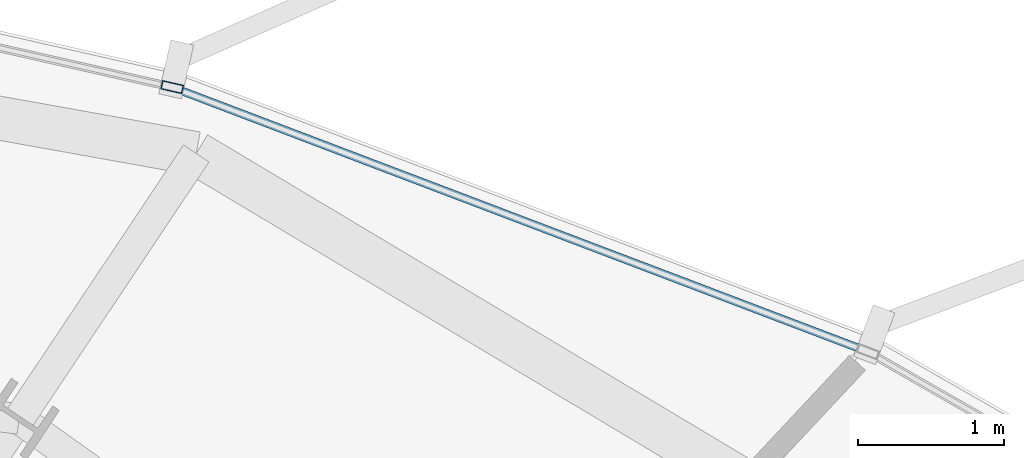
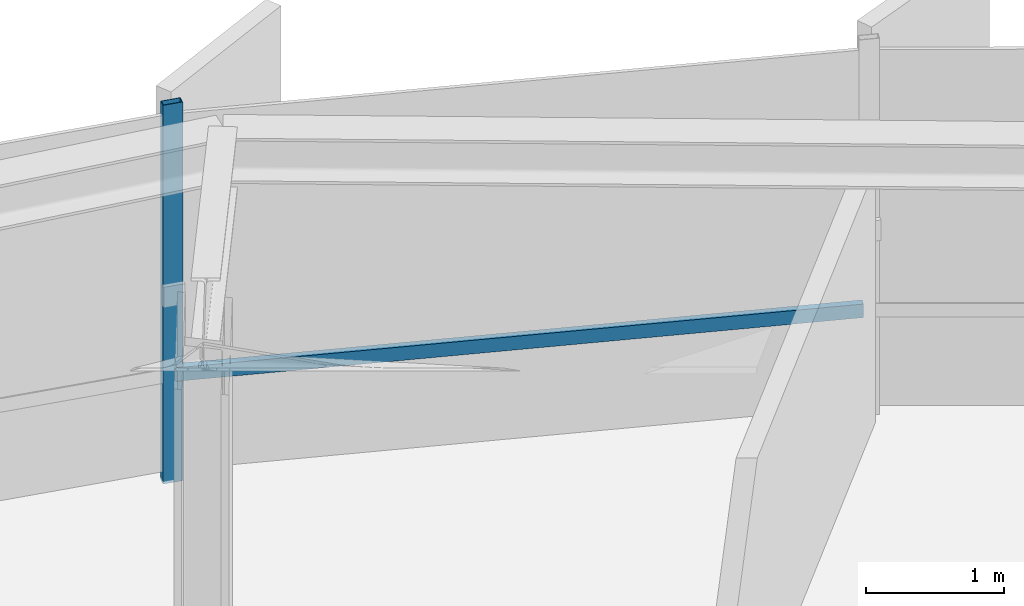
# One storey, part 23 of 35: 2 members, 1 element without a shape of its own.
"""IFC4 building model written with IfcOpenShell, lengths in metres."""

from ifc_helpers import new_model, si_unit, direction, frame, origin, origin_2d, place, context, subcontext, project, spatial, hollow_rectangle, extrude, source, transform, mapped, material, layer, layer_set, material_profile, profile_set, type_object, element, aggregate, save


model = new_model("IFC4")

# Units and contexts
model_context = context("Model", 3, precision=1e-05, world=origin(), true_north=direction((0.0, 1.0)))
body_context = subcontext(model_context, "Body", "Model", "MODEL_VIEW")
ifc_project = project(units=[si_unit("LENGTHUNIT", "METRE"), si_unit("AREAUNIT", "SQUARE_METRE"), si_unit("VOLUMEUNIT", "CUBIC_METRE"), si_unit("PLANEANGLEUNIT", "RADIAN"), si_unit("MASSUNIT", "GRAM", prefix="KILO"), si_unit("THERMODYNAMICTEMPERATUREUNIT", "KELVIN")], contexts=[model_context])

# Site, building, storey
site_placement = place(None, origin())
site = spatial("IfcSite", under=ifc_project, at=site_placement, CompositionType="ELEMENT")
building_placement = place(site_placement, origin())
building = spatial("IfcBuilding", under=site, at=building_placement, Name="Kethvar Cultural Tower", CompositionType="ELEMENT")
storey_placement = place(building_placement, frame((0.0, 0.0, 92.800048828125)))
storey = spatial("IfcBuildingStorey", under=building, at=storey_placement, Name="L22", CompositionType="ELEMENT", Elevation=92.800048828125)

# Curtain wall, members
ifc_material = material(Name="Aluminium 6063-T6", Category="aluminium")
ifc_layer = layer(ifc_material, 0.179931640625, Name="Aluminium 6063-T6", Category="aluminium")
ifc_layer_set = layer_set([ifc_layer], Name="Aluminium 6063-T6 (180 mm)")
curtain_wall_type = type_object("IfcCurtainWallType", Name="CW-SYS-03-Z2", PredefinedType="NOTDEFINED", material=ifc_layer_set)
curtain_wall_placement = place(storey_placement, origin())
curtain_wall = element("IfcCurtainWall", 1, at=curtain_wall_placement, inside=storey, type_object=curtain_wall_type, Name="L22 Curtain Wall Run 01", PredefinedType="NOTDEFINED")
ifc_material_profile_1 = material_profile(ifc_material, hollow_rectangle(XDim=0.06005859375, YDim=0.14990234375, WallThickness=0.0048828125, at=origin_2d()), Name="Aluminium 6063-T6 — RHS150x60x5")
ifc_profile_set_1 = profile_set([ifc_material_profile_1], Name="Aluminium 6063-T6 — RHS150x60x5")
member_type_1 = type_object("IfcMemberType", Name="CW-SYS-03-Z2-MUL", PredefinedType="MULLION", material=ifc_profile_set_1)
shared_shape_1 = source(origin(), body_context, "Body", "SweptSolid", [
    extrude(hollow_rectangle(XDim=0.06005859375, YDim=0.14990234375, WallThickness=0.0048828125, at=origin_2d()), origin(), (0.0, 0.0, 1.0), 3.349853515625),
])
member_1_placement = place(storey_placement, frame((61.45751953125, 50.440673828125, 0.0), z_axis=(0.0, 0.0, 1.0), x_axis=(-0.22108894473, -0.975253648298, 0.0)))
member_1 = element("IfcMember", 2, at=member_1_placement, type_object=member_type_1, Name="CW-L22-R01 Mullion 6", PredefinedType="MULLION", context=body_context, shape_type="MappedRepresentation", body=[
    mapped(shared_shape_1, transform((0.0, 0.0, 0.0), scale=1.0)),
])
ifc_material_profile_2 = material_profile(ifc_material, hollow_rectangle(XDim=0.054931640625, YDim=0.1201171875, WallThickness=0.00390625, at=origin_2d()), Name="Aluminium 6063-T6 — RHS120x55x4")
ifc_profile_set_2 = profile_set([ifc_material_profile_2], Name="Aluminium 6063-T6 — RHS120x55x4")
member_type_2 = type_object("IfcMemberType", Name="CW-SYS-03-Z2-TRN", PredefinedType="USERDEFINED", material=ifc_profile_set_2)
shared_shape_2 = source(origin(), body_context, "Body", "SweptSolid", [
    extrude(hollow_rectangle(XDim=0.054931640625, YDim=0.1201171875, WallThickness=0.00390625, at=origin_2d()), origin(), (0.0, 0.0, 1.0), 5.044677734375),
])
member_2_placement = place(storey_placement, frame((66.197998046875, 48.637939453125, 0.949951171875), z_axis=(-0.934762688139, 0.355272735885, 0.0), x_axis=(-0.355272735885, -0.934762688139, 0.0)))
member_2 = element("IfcMember", 3, at=member_2_placement, type_object=member_type_2, Name="CW-L22-R01 Transom 5", ObjectType="TRANSOM", PredefinedType="USERDEFINED", context=body_context, shape_type="MappedRepresentation", body=[
    mapped(shared_shape_2, transform((0.0, 0.0, 0.0), scale=1.0)),
])
aggregate(curtain_wall, [member_1, member_2])

save(model, "model.ifc")
